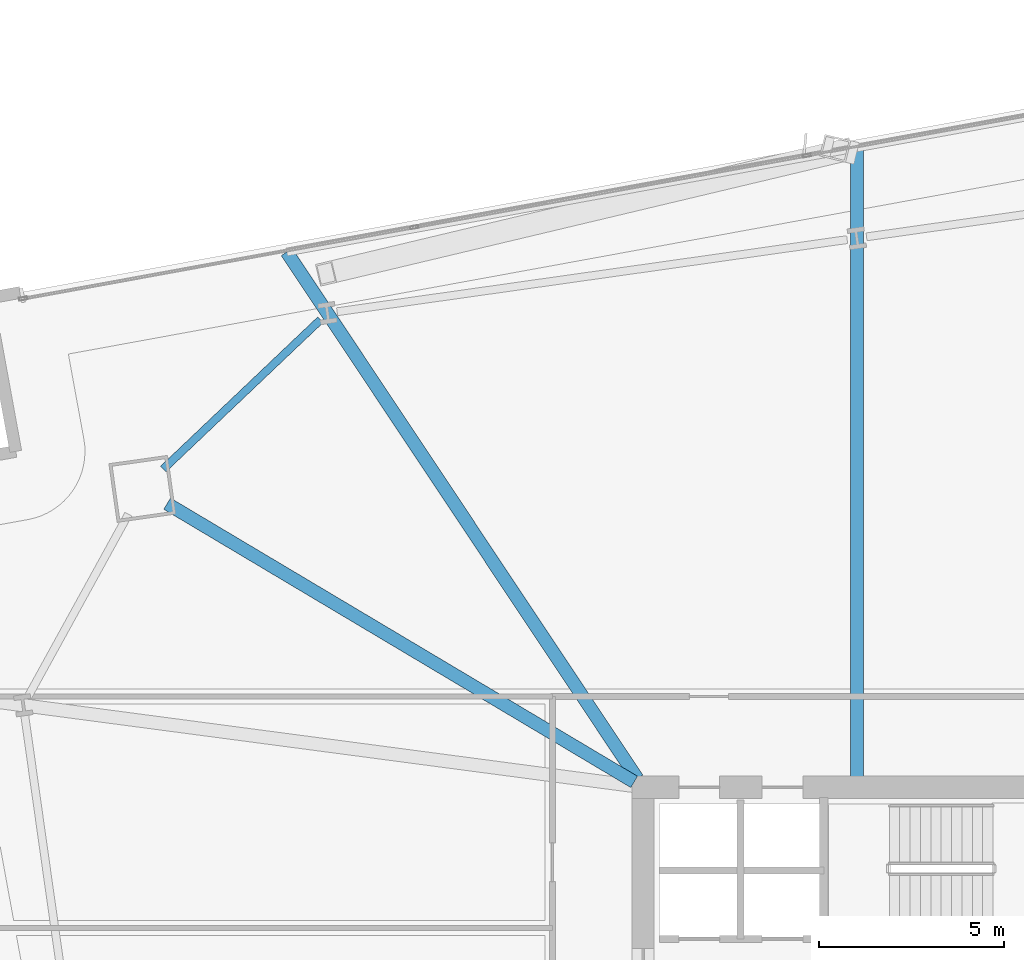
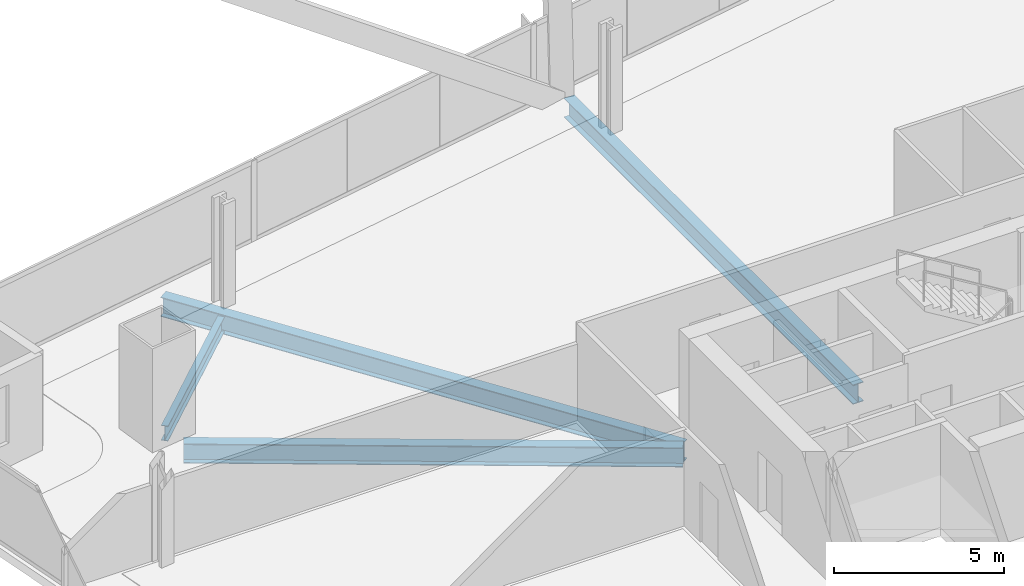
# One storey, part 17 of 34: 4 beams.
"""IFC4 building model written with IfcOpenShell, lengths in metres."""

from ifc_helpers import new_model, si_unit, direction, frame, origin, origin_2d, place, context, subcontext, project, spatial, i_section, extrude, material, material_profile, profile_set, type_object, element, save


model = new_model("IFC4")

# Units and contexts
model_context = context("Model", 3, precision=1e-05, world=origin(), true_north=direction((0.0, 1.0)))
body_context = subcontext(model_context, "Body", "Model", "MODEL_VIEW")
ifc_project = project(units=[si_unit("LENGTHUNIT", "METRE"), si_unit("AREAUNIT", "SQUARE_METRE"), si_unit("VOLUMEUNIT", "CUBIC_METRE"), si_unit("PLANEANGLEUNIT", "RADIAN"), si_unit("MASSUNIT", "GRAM", prefix="KILO")], contexts=[model_context])

# Site, building, storey
site_placement = place(None, origin())
site = spatial("IfcSite", under=ifc_project, at=site_placement, CompositionType="ELEMENT")
building_placement = place(site_placement, origin())
building = spatial("IfcBuilding", under=site, at=building_placement, Name="Haldenkirk Collegiate Tower", CompositionType="ELEMENT")
storey_placement = place(building_placement, frame((0.0, 0.0, 62.699951171875)))
storey = spatial("IfcBuildingStorey", under=building, at=storey_placement, Name="L14", CompositionType="ELEMENT", Elevation=62.699951171875)

# Beams
ifc_material = material(Name="Steel ASTM A992 Grade 50", Category="steel")
ifc_material_profile_1 = material_profile(ifc_material, i_section(OverallWidth=0.35498046875, OverallDepth=0.696044921875, WebThickness=0.015380859375, FlangeThickness=0.02490234375, at=origin_2d()), Name="W27X146")
ifc_profile_set_1 = profile_set([ifc_material_profile_1], Name="Steel ASTM A992 Grade 50")
beam_type_1 = type_object("IfcBeamType", Name="BM-GIRDER-W27X146", PredefinedType="BEAM", material=ifc_profile_set_1)
beam_1_placement = place(storey_placement, frame((14.14990234375, 41.6552734375, -0.657958984375), z_axis=(0.859106056552, -0.511797600225, 0.0), x_axis=(0.511797600225, 0.859106056552, 0.0)))
element("IfcBeam", 1, at=beam_1_placement, inside=storey, type_object=beam_type_1, Name="L14 primary floor girder 04", PredefinedType="BEAM", context=body_context, shape_type="SweptSolid", body=[
    extrude(i_section(OverallWidth=0.35498046875, OverallDepth=0.696044921875, WebThickness=0.015380859375, FlangeThickness=0.02490234375, at=origin_2d()), origin(), (0.0, 0.0, 1.0), 14.677490234375),
])
beam_2_placement = place(storey_placement, frame((32.772216796875, 51.260986328125, -0.657958984375), z_axis=(0.0, -1.0, 0.0), x_axis=(1.0, 0.0, 0.0)))
element("IfcBeam", 2, at=beam_2_placement, inside=storey, type_object=beam_type_1, Name="L14 primary floor girder 12", PredefinedType="BEAM", context=body_context, shape_type="SweptSolid", body=[
    extrude(i_section(OverallWidth=0.35498046875, OverallDepth=0.696044921875, WebThickness=0.015380859375, FlangeThickness=0.02490234375, at=origin_2d()), origin(), (0.0, 0.0, 1.0), 16.98095703125),
])
beam_3_placement = place(storey_placement, frame((17.380859375, 48.4501953125, -0.657958984375), z_axis=(0.554126070504, -0.832432758839, 0.0), x_axis=(0.832432758839, 0.554126070504, 0.0)))
element("IfcBeam", 3, at=beam_3_placement, inside=storey, type_object=beam_type_1, Name="L14 primary floor girder 13", PredefinedType="BEAM", context=body_context, shape_type="SweptSolid", body=[
    extrude(i_section(OverallWidth=0.35498046875, OverallDepth=0.696044921875, WebThickness=0.015380859375, FlangeThickness=0.02490234375, at=origin_2d()), origin(), (0.0, 0.0, 1.0), 17.078857421875),
])
ifc_material_profile_2 = material_profile(ifc_material, i_section(OverallWidth=0.2119140625, OverallDepth=0.5439453125, WebThickness=0.01318359375, FlangeThickness=0.021240234375, at=origin_2d()), Name="W21X83")
ifc_profile_set_2 = profile_set([ifc_material_profile_2], Name="Steel ASTM A992 Grade 50")
beam_type_2 = type_object("IfcBeamType", Name="BM-SPANDREL-W21X83", PredefinedType="SPANDREL", material=ifc_profile_set_2)
beam_4_placement = place(storey_placement, frame((18.28662109375, 46.619140625, -0.58203125), z_axis=(-0.725132817178, -0.688609030911, 0.0), x_axis=(0.688609030911, -0.725132817178, 0.0)))
element("IfcBeam", 4, at=beam_4_placement, inside=storey, type_object=beam_type_2, Name="L14 perimeter spandrel beam 12", PredefinedType="SPANDREL", context=body_context, shape_type="SweptSolid", body=[
    extrude(i_section(OverallWidth=0.2119140625, OverallDepth=0.5439453125, WebThickness=0.01318359375, FlangeThickness=0.021240234375, at=origin_2d()), origin(), (0.0, 0.0, 1.0), 5.848876953125),
])

save(model, "model.ifc")
